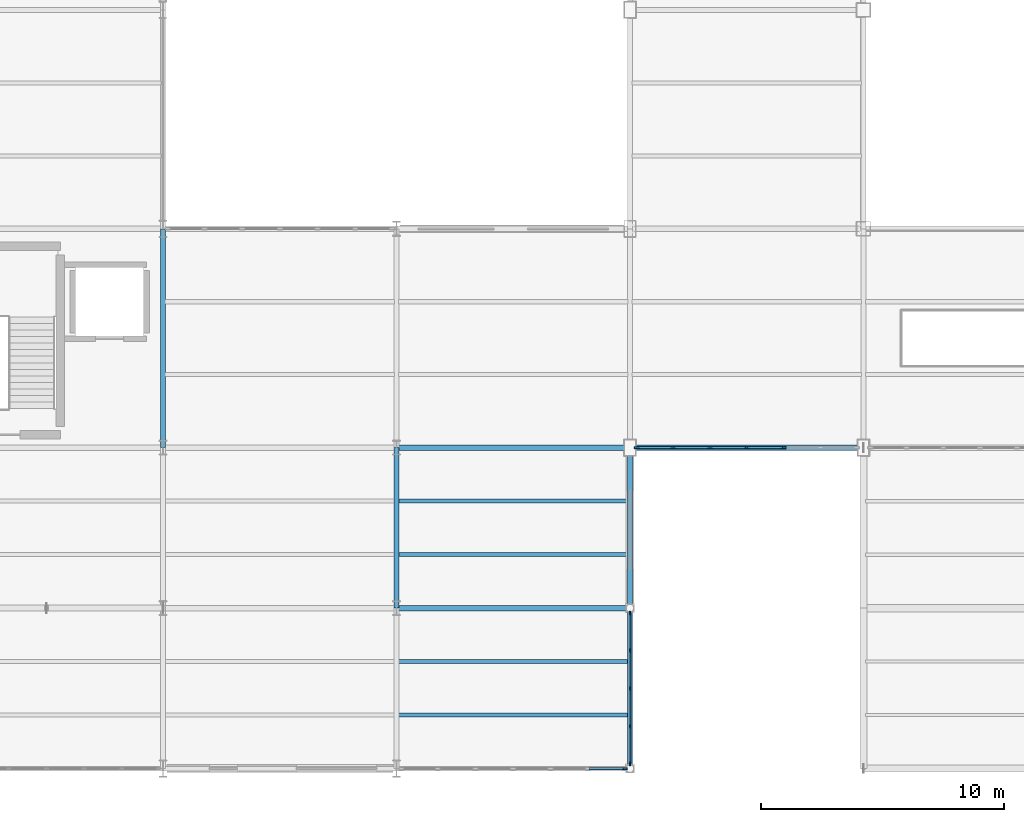
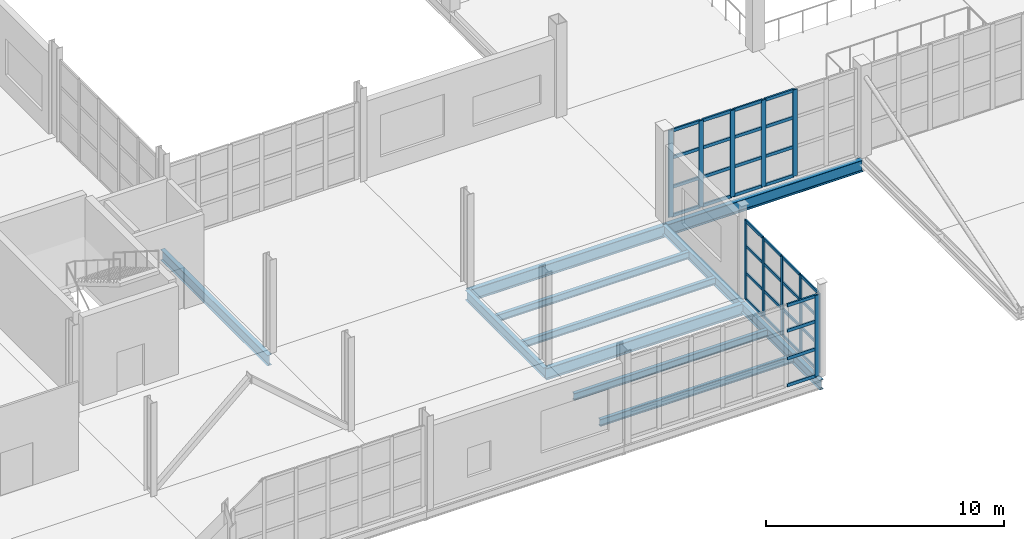
# One storey, part 19 of 120: 47 members, 11 beams, 3 elements without a shape of their own.
"""IFC4 building model written with IfcOpenShell, lengths in metres."""

import ifcopenshell
import ifcopenshell.guid

model = None  # the IFC model being written
_history = None  # IfcOwnerHistory: only IFC2X3 demands one
_inside = {}  # id of a spatial element -> (the spatial element, [elements in it])
_under = {}  # id of a project, library or spatial element -> (it, [spatial elements below it])
_declared = {}  # id of a project -> (the project, [libraries it declares])
_typed = {}  # id of a type object -> (the type object, [elements of that type])
_made_of = {}  # id of a material, layer set ... -> (it, [elements and type objects made of it])


def new_model(schema):
    """Start an empty IFC model of exactly this schema.

    Asked for "IFC4X3", IfcOpenShell would pick the latest addendum, in which some entities
    have other attributes; the version numbers below select the first issue.
    IFC2X3 requires an IfcOwnerHistory on every rooted entity: one is made here for all.
    """
    global model, _history
    if schema == "IFC4X3":
        model = ifcopenshell.file(schema_version=(4, 3, 0, 0))
    else:
        model = ifcopenshell.file(schema=schema)
    _inside.clear()
    _under.clear()
    _declared.clear()
    _typed.clear()
    _made_of.clear()
    _history = None
    if model.schema == "IFC2X3":
        org = make("IfcOrganization", Name="unknown")
        user = make(
            "IfcPersonAndOrganization",
            ThePerson=make("IfcPerson", FamilyName="unknown"),
            TheOrganization=org,
        )
        app = make(
            "IfcApplication",
            ApplicationDeveloper=org,
            Version="unknown",
            ApplicationFullName="unknown",
            ApplicationIdentifier="unknown",
        )
        _history = make(
            "IfcOwnerHistory",
            OwningUser=user,
            OwningApplication=app,
            ChangeAction="ADDED",
            CreationDate=0,
        )
    return model


def make(cls, **values):
    """One entity of the class cls with the attributes given. An attribute that is None is left unset."""
    return model.create_entity(
        cls, **{name: value for name, value in values.items() if value is not None}
    )


def rooted(cls, **values):
    """An entity with a GlobalId (a new one), such as an element, a storey or a relation."""
    return make(cls, GlobalId=ifcopenshell.guid.new(), OwnerHistory=_history, **values)


def si_unit(unit_type, name, prefix=None):
    """IfcSIUnit, for example si_unit("LENGTHUNIT", "METRE", prefix="MILLI")."""
    return make("IfcSIUnit", UnitType=unit_type, Prefix=prefix, Name=name)


def assignment(units):
    """IfcUnitAssignment: the units of a project."""
    return None if units is None else make("IfcUnitAssignment", Units=units)


def point(xyz):
    """IfcCartesianPoint."""
    return None if xyz is None else make("IfcCartesianPoint", Coordinates=xyz)


def direction(xyz):
    """IfcDirection."""
    return None if xyz is None else make("IfcDirection", DirectionRatios=xyz)


def frame(location, z_axis=None, x_axis=None):
    """IfcAxis2Placement3D, a coordinate frame: its origin and axes. An axis left out is left unset."""
    return make(
        "IfcAxis2Placement3D",
        Location=point(location),
        Axis=direction(z_axis),
        RefDirection=direction(x_axis),
    )


def frame_2d(location, x_axis=None):
    """IfcAxis2Placement2D, a coordinate frame in the plane: its origin and x axis."""
    return make(
        "IfcAxis2Placement2D", Location=point(location), RefDirection=direction(x_axis)
    )


def origin():
    """The frame at (0, 0, 0) with its axes left unset."""
    return frame((0.0, 0.0, 0.0))


def origin_2d():
    """The frame at (0, 0) in the plane with its x axis left unset."""
    return frame_2d((0.0, 0.0))


def place(relative_to, where):
    """IfcLocalPlacement: puts the frame where relative to a parent placement (None: the world)."""
    return make(
        "IfcLocalPlacement", PlacementRelTo=relative_to, RelativePlacement=where
    )


def context(
    kind, dimensions, precision=None, world=None, true_north=None, identifier=None
):
    """IfcGeometricRepresentationContext, for example the 3D "Model" context."""
    return make(
        "IfcGeometricRepresentationContext",
        ContextIdentifier=identifier,
        ContextType=kind,
        CoordinateSpaceDimension=dimensions,
        Precision=precision,
        WorldCoordinateSystem=world,
        TrueNorth=true_north,
    )


def subcontext(parent, identifier, kind, view, scale=None):
    """IfcGeometricRepresentationSubContext, for example "Body" below "Model"."""
    return make(
        "IfcGeometricRepresentationSubContext",
        ContextIdentifier=identifier,
        ContextType=kind,
        ParentContext=parent,
        TargetScale=scale,
        TargetView=view,
    )


def project(units=None, contexts=None):
    """IfcProject with its units and contexts."""
    return rooted(
        "IfcProject",
        Name="project",
        RepresentationContexts=contexts,
        UnitsInContext=assignment(units),
    )


def spatial(cls, under=None, at=None, **own):
    """A site, building, storey or space (cls), placed at a placement, below another one or the project."""
    s = rooted(cls, ObjectPlacement=at, **own)
    if under is not None:
        _under.setdefault(under.id(), (under, []))[1].append(s)
    return s


def profile(cls, at=None, kind="AREA", **sizes):
    """A parametric profile (cls). Its sizes go by their IFC names, for example OverallWidth=200.0."""
    return make(cls, ProfileType=kind, Position=at, **sizes)


def rectangle(**sizes):
    """IfcRectangleProfileDef."""
    return profile("IfcRectangleProfileDef", **sizes)


def i_section(**sizes):
    """IfcIShapeProfileDef."""
    return profile("IfcIShapeProfileDef", **sizes)


def extrude(swept, where, along, depth):
    """IfcExtrudedAreaSolid: the profile swept, set in the frame where, extruded along a direction by depth."""
    return make(
        "IfcExtrudedAreaSolid",
        SweptArea=swept,
        Position=where,
        ExtrudedDirection=direction(along),
        Depth=depth,
    )


def shape(context_of_items, identifier, shape_type, items):
    """IfcShapeRepresentation: the items that make up one representation, for example the "Body"."""
    return make(
        "IfcShapeRepresentation",
        ContextOfItems=context_of_items,
        RepresentationIdentifier=identifier,
        RepresentationType=shape_type,
        Items=items,
    )


def material(Name=None, Category=None):
    """IfcMaterial."""
    return make("IfcMaterial", Name=Name, Category=Category)


def layer(
    of_material, thickness, ventilated=None, Name=None, Category=None, Priority=None
):
    """IfcMaterialLayer: one layer of a wall or slab, of a material (None: an air gap)."""
    return make(
        "IfcMaterialLayer",
        Material=of_material,
        LayerThickness=thickness,
        IsVentilated=ventilated,
        Name=Name,
        Category=Category,
        Priority=Priority,
    )


def layer_set(layers, Name=None):
    """IfcMaterialLayerSet."""
    return make("IfcMaterialLayerSet", MaterialLayers=layers, LayerSetName=Name)


def material_profile(
    of_material, cross_section, Name=None, Category=None, Priority=None
):
    """IfcMaterialProfile: a cross section and its material."""
    return make(
        "IfcMaterialProfile",
        Name=Name,
        Material=of_material,
        Profile=cross_section,
        Priority=Priority,
        Category=Category,
    )


def profile_set(profiles, Name=None, composite=None):
    """IfcMaterialProfileSet."""
    return make(
        "IfcMaterialProfileSet",
        Name=Name,
        MaterialProfiles=profiles,
        CompositeProfile=composite,
    )


def made_of(thing, what):
    """Note that an element or type object is made of a material, layer set ...; save() writes the relation."""
    if what is not None:
        _made_of.setdefault(what.id(), (what, []))[1].append(thing)
    return thing


def type_object(cls, material=None, **own):
    """A type object (cls), such as IfcWallType, which elements share."""
    return made_of(rooted(cls, **own), material)


def element(
    cls,
    number,
    at=None,
    inside=None,
    cuts=None,
    type_object=None,
    material=None,
    context=None,
    identifier="Body",
    shape_type=None,
    held_by="IfcProductDefinitionShape",
    body=None,
    shapes=None,
    **own,
):
    """One element of the class cls, such as IfcWall. Its Tag is "e" and its number.

    at: its placement. inside: the storey or other place that contains it. cuts: it is an
    opening in that element (IfcRelVoidsElement). A single representation is given by context,
    identifier, shape_type and body (its items); several are given by shapes. held_by: the class
    of the entity that holds the representations. save() writes the other relations.
    """
    e = rooted(cls, Tag="e%d" % number, ObjectPlacement=at, **own)
    if body is not None:
        shapes = [shape(context, identifier, shape_type, body)]
    if shapes is not None:
        e.Representation = make(held_by, Representations=shapes)
    if inside is not None:
        _inside.setdefault(inside.id(), (inside, []))[1].append(e)
    if cuts is not None:
        rooted(
            "IfcRelVoidsElement", RelatingBuildingElement=cuts, RelatedOpeningElement=e
        )
    if type_object is not None:
        _typed.setdefault(type_object.id(), (type_object, []))[1].append(e)
    return made_of(e, material)


def aggregate(whole, parts):
    """IfcRelAggregates: a whole, such as a stair, and the parts it consists of."""
    return rooted("IfcRelAggregates", RelatingObject=whole, RelatedObjects=parts)


def save(model, path):
    """Write the relations noted so far, then the file.

    IfcRelAggregates (storeys below a building ...), IfcRelContainedInSpatialStructure (elements
    in a storey), IfcRelDefinesByType, IfcRelAssociatesMaterial and IfcRelDeclares: one each for
    every whole, place, type object, material and project.
    """
    for whole, parts in _under.values():
        aggregate(whole, parts)
    for where, things in _inside.values():
        rooted(
            "IfcRelContainedInSpatialStructure",
            RelatedElements=things,
            RelatingStructure=where,
        )
    for kind, things in _typed.values():
        rooted("IfcRelDefinesByType", RelatedObjects=things, RelatingType=kind)
    for what, things in _made_of.values():
        rooted("IfcRelAssociatesMaterial", RelatedObjects=things, RelatingMaterial=what)
    for by, libraries in _declared.values():
        rooted("IfcRelDeclares", RelatingContext=by, RelatedDefinitions=libraries)
    model.write(path)


model = new_model("IFC4")

# Units and contexts
model_context = context("Model", 3, precision=1e-05, world=origin(), true_north=direction((0.0, 1.0)))
body_context = subcontext(model_context, "Body", "Model", "MODEL_VIEW")
ifc_project = project(units=[si_unit("LENGTHUNIT", "METRE"), si_unit("AREAUNIT", "SQUARE_METRE"), si_unit("VOLUMEUNIT", "CUBIC_METRE"), si_unit("PLANEANGLEUNIT", "RADIAN"), si_unit("MASSUNIT", "GRAM", prefix="KILO")], contexts=[model_context])

# Site, building, storey
site_placement = place(None, origin())
site = spatial("IfcSite", under=ifc_project, at=site_placement, CompositionType="ELEMENT")
building_placement = place(site_placement, origin())
building = spatial("IfcBuilding", under=site, at=building_placement, Name="Zarnetskaya Central Station", CompositionType="ELEMENT")
storey_placement = place(building_placement, frame((0.0, 0.0, 5.39990234375)))
storey = spatial("IfcBuildingStorey", under=building, at=storey_placement, Name="L01", CompositionType="ELEMENT", Elevation=5.39990234375)

# Beams
ifc_material_1 = material(Name="Steel S355", Category="steel")
ifc_material_profile_1 = material_profile(ifc_material_1, i_section(OverallWidth=0.169921875, OverallDepth=0.360107421875, WebThickness=0.008056640625, FlangeThickness=0.0126953125, FilletRadius=0.01806640625, at=origin_2d()), Name="IPE 360")
ifc_profile_set_1 = profile_set([ifc_material_profile_1], Name="Steel S355")
beam_type_1 = type_object("IfcBeamType", Name="BM-SEC-360", PredefinedType="BEAM", material=ifc_profile_set_1)
for number, where, z_axis, x_axis, name in (
    (1, (48.080078125, 2.199951171875, -0.4599609375), (1.0, 0.0, 0.0), (0.0, 1.0, 0.0), "Secondary floor beam SEC-L01-Z512-FG-12-1"),
    (2, (48.080078125, 4.39990234375, -0.4599609375), (1.0, 0.0, 0.0), (0.0, 1.0, 0.0), "Secondary floor beam SEC-L01-Z512-FG-12-2"),
    (3, (48.080078125, 8.800048828125, -0.4599609375), (1.0, 0.0, 0.0), (0.0, 1.0, 0.0), "Secondary floor beam SEC-L01-Z512-FG-23-1"),
    (4, (48.080078125, 11.0, -0.4599609375), (1.0, 0.0, 0.0), (0.0, 1.0, 0.0), "Secondary floor beam SEC-L01-Z512-FG-23-2"),
):
    element("IfcBeam", number, at=place(storey_placement, frame(where, z_axis=z_axis, x_axis=x_axis)), inside=storey, type_object=beam_type_1, Name=name, PredefinedType="BEAM", context=body_context, shape_type="SweptSolid", body=[
        extrude(i_section(OverallWidth=0.169921875, OverallDepth=0.360107421875, WebThickness=0.008056640625, FlangeThickness=0.0126953125, FilletRadius=0.01806640625, at=origin_2d()), origin(), (0.0, 0.0, 1.0), 9.43994140625),
    ])

# Curtain wall, members
ifc_material_2 = material(Name="Low-E insulated glass", Category="glass")
ifc_layer_1 = layer(ifc_material_2, 0.176025390625, Name="Low-E insulated glass", Category="glass")
ifc_layer_set_1 = layer_set([ifc_layer_1], Name="Low-E insulated glass")
curtain_wall_type_1 = type_object("IfcCurtainWallType", Name="CW-SYS-05", PredefinedType="USERDEFINED", material=ifc_layer_set_1)
curtain_wall_1_placement = place(storey_placement, origin())
curtain_wall_1 = element("IfcCurtainWall", 5, at=curtain_wall_1_placement, inside=storey, type_object=curtain_wall_type_1, Name="Curtain wall CW-L01-011", ObjectType="CURTAIN WALL", PredefinedType="USERDEFINED")
ifc_material_3 = material(Name="Anodised aluminium", Category="aluminium")
ifc_material_profile_2 = material_profile(ifc_material_3, rectangle(XDim=0.070068359375, YDim=0.179931640625, at=origin_2d()), Name="ALU MULL 70x180")
ifc_profile_set_2 = profile_set([ifc_material_profile_2], Name="Anodised aluminium")
member_type_1 = type_object("IfcMemberType", Name="CW-MULL-180", PredefinedType="MULLION", material=ifc_profile_set_2)
member_1_placement = place(storey_placement, frame((57.60009765625, 6.38720703125, 0.0), z_axis=(0.0, 0.0, 1.0), x_axis=(1.0, 0.0, 0.0)))
member_1 = element("IfcMember", 6, at=member_1_placement, type_object=member_type_1, Name="CW-14 mullion 1", PredefinedType="MULLION", context=body_context, shape_type="SweptSolid", body=[
    extrude(rectangle(XDim=0.070068359375, YDim=0.179931640625, at=origin_2d()), origin(), (0.0, 0.0, 1.0), 4.080078125),
])
member_2_placement = place(storey_placement, frame((57.60009765625, 4.861083984375, 0.0), z_axis=(0.0, 0.0, 1.0), x_axis=(1.0, 0.0, 0.0)))
member_2 = element("IfcMember", 7, at=member_2_placement, type_object=member_type_1, Name="CW-14 mullion 2", PredefinedType="MULLION", context=body_context, shape_type="SweptSolid", body=[
    extrude(rectangle(XDim=0.070068359375, YDim=0.179931640625, at=origin_2d()), origin(), (0.0, 0.0, 1.0), 4.080078125),
])
member_3_placement = place(storey_placement, frame((57.60009765625, 3.300048828125, 0.0), z_axis=(0.0, 0.0, 1.0), x_axis=(1.0, 0.0, 0.0)))
member_3 = element("IfcMember", 8, at=member_3_placement, type_object=member_type_1, Name="CW-14 mullion 3", PredefinedType="MULLION", context=body_context, shape_type="SweptSolid", body=[
    extrude(rectangle(XDim=0.070068359375, YDim=0.179931640625, at=origin_2d()), origin(), (0.0, 0.0, 1.0), 4.080078125),
])
member_4_placement = place(storey_placement, frame((57.60009765625, 1.739013671875, 0.0), z_axis=(0.0, 0.0, 1.0), x_axis=(1.0, 0.0, 0.0)))
member_4 = element("IfcMember", 9, at=member_4_placement, type_object=member_type_1, Name="CW-14 mullion 4", PredefinedType="MULLION", context=body_context, shape_type="SweptSolid", body=[
    extrude(rectangle(XDim=0.070068359375, YDim=0.179931640625, at=origin_2d()), origin(), (0.0, 0.0, 1.0), 4.080078125),
])
member_5_placement = place(storey_placement, frame((57.60009765625, 0.212890625, 0.0), z_axis=(0.0, 0.0, 1.0), x_axis=(1.0, 0.0, 0.0)))
member_5 = element("IfcMember", 10, at=member_5_placement, type_object=member_type_1, Name="CW-14 mullion 5", PredefinedType="MULLION", context=body_context, shape_type="SweptSolid", body=[
    extrude(rectangle(XDim=0.070068359375, YDim=0.179931640625, at=origin_2d()), origin(), (0.0, 0.0, 1.0), 4.080078125),
])

# Curtain wall, member
ifc_layer_2 = layer(ifc_material_2, 0.16796875, Name="Low-E insulated glass", Category="glass")
ifc_layer_set_2 = layer_set([ifc_layer_2], Name="Low-E insulated glass")
curtain_wall_type_2 = type_object("IfcCurtainWallType", Name="CW-SYS-03", PredefinedType="USERDEFINED", material=ifc_layer_set_2)
curtain_wall_2_placement = place(storey_placement, origin())
curtain_wall_2 = element("IfcCurtainWall", 11, at=curtain_wall_2_placement, inside=storey, type_object=curtain_wall_type_2, Name="Curtain wall CW-L01-012", ObjectType="CURTAIN WALL", PredefinedType="USERDEFINED")
ifc_material_profile_3 = material_profile(ifc_material_3, rectangle(XDim=0.080078125, YDim=0.219970703125, at=origin_2d()), Name="ALU MULL 80x220")
ifc_profile_set_3 = profile_set([ifc_material_profile_3], Name="Anodised aluminium")
member_type_2 = type_object("IfcMemberType", Name="CW-MULL-220", PredefinedType="MULLION", material=ifc_profile_set_3)
member_6_placement = place(storey_placement, frame((57.382080078125, 0.0, 0.0), z_axis=(0.0, 0.0, 1.0), x_axis=(0.0, -1.0, 0.0)))
member_6 = element("IfcMember", 12, at=member_6_placement, type_object=member_type_2, Name="CW-12 mullion 1", PredefinedType="MULLION", context=body_context, shape_type="SweptSolid", body=[
    extrude(rectangle(XDim=0.080078125, YDim=0.219970703125, at=origin_2d()), origin(), (0.0, 0.0, 1.0), 4.18017578125),
])

# Curtain wall, members
ifc_layer_3 = layer(ifc_material_2, 0.16796875, Name="Low-E insulated glass", Category="glass")
ifc_layer_set_3 = layer_set([ifc_layer_3], Name="Low-E insulated glass")
curtain_wall_type_3 = type_object("IfcCurtainWallType", Name="CW-SYS-08", PredefinedType="USERDEFINED", material=ifc_layer_set_3)
curtain_wall_3_placement = place(storey_placement, origin())
curtain_wall_3 = element("IfcCurtainWall", 13, at=curtain_wall_3_placement, inside=storey, type_object=curtain_wall_type_3, Name="Curtain wall CW-L01-074", ObjectType="CURTAIN WALL", PredefinedType="USERDEFINED")
member_7_placement = place(storey_placement, frame((63.916748046875, 13.199951171875, 0.0), z_axis=(0.0, 0.0, 1.0), x_axis=(0.0, -1.0, 0.0)))
member_7 = element("IfcMember", 14, at=member_7_placement, type_object=member_type_2, Name="CW-16 mullion 3", PredefinedType="MULLION", context=body_context, shape_type="SweptSolid", body=[
    extrude(rectangle(XDim=0.080078125, YDim=0.219970703125, at=origin_2d()), origin(), (0.0, 0.0, 1.0), 4.4501953125),
])
member_8_placement = place(storey_placement, frame((62.39990234375, 13.199951171875, 0.0), z_axis=(0.0, 0.0, 1.0), x_axis=(0.0, -1.0, 0.0)))
member_8 = element("IfcMember", 15, at=member_8_placement, type_object=member_type_2, Name="CW-16 mullion 4", PredefinedType="MULLION", context=body_context, shape_type="SweptSolid", body=[
    extrude(rectangle(XDim=0.080078125, YDim=0.219970703125, at=origin_2d()), origin(), (0.0, 0.0, 1.0), 4.4501953125),
])
member_9_placement = place(storey_placement, frame((60.88330078125, 13.199951171875, 0.0), z_axis=(0.0, 0.0, 1.0), x_axis=(0.0, -1.0, 0.0)))
member_9 = element("IfcMember", 16, at=member_9_placement, type_object=member_type_2, Name="CW-16 mullion 5", PredefinedType="MULLION", context=body_context, shape_type="SweptSolid", body=[
    extrude(rectangle(XDim=0.080078125, YDim=0.219970703125, at=origin_2d()), origin(), (0.0, 0.0, 1.0), 4.4501953125),
])
member_10_placement = place(storey_placement, frame((59.36669921875, 13.199951171875, 0.0), z_axis=(0.0, 0.0, 1.0), x_axis=(0.0, -1.0, 0.0)))
member_10 = element("IfcMember", 17, at=member_10_placement, type_object=member_type_2, Name="CW-16 mullion 6", PredefinedType="MULLION", context=body_context, shape_type="SweptSolid", body=[
    extrude(rectangle(XDim=0.080078125, YDim=0.219970703125, at=origin_2d()), origin(), (0.0, 0.0, 1.0), 4.4501953125),
])
member_11_placement = place(storey_placement, frame((57.889892578125, 13.199951171875, 0.0), z_axis=(0.0, 0.0, 1.0), x_axis=(0.0, -1.0, 0.0)))
member_11 = element("IfcMember", 18, at=member_11_placement, type_object=member_type_2, Name="CW-16 mullion 7", PredefinedType="MULLION", context=body_context, shape_type="SweptSolid", body=[
    extrude(rectangle(XDim=0.080078125, YDim=0.219970703125, at=origin_2d()), origin(), (0.0, 0.0, 1.0), 4.4501953125),
])

# Member
ifc_material_profile_4 = material_profile(ifc_material_3, rectangle(XDim=0.070068359375, YDim=0.139892578125, at=origin_2d()), Name="ALU TRAN 70x140")
ifc_profile_set_4 = profile_set([ifc_material_profile_4], Name="Anodised aluminium")
member_type_3 = type_object("IfcMemberType", Name="CW-TRAN-140", PredefinedType="USERDEFINED", material=ifc_profile_set_4)
member_12_placement = place(storey_placement, frame((57.60009765625, 6.352294921875, 0.03515625), z_axis=(0.0, -1.0, 0.0), x_axis=(1.0, 0.0, 0.0)))
member_12 = element("IfcMember", 19, at=member_12_placement, type_object=member_type_3, Name="CW-14 transom 1.1", ObjectType="TRANSOM", PredefinedType="USERDEFINED", context=body_context, shape_type="SweptSolid", body=[
    extrude(rectangle(XDim=0.070068359375, YDim=0.139892578125, at=origin_2d()), origin(), (0.0, 0.0, 1.0), 1.456298828125),
])

member_13_placement = place(storey_placement, frame((57.60009765625, 6.352294921875, 1.38720703125), z_axis=(0.0, -1.0, 0.0), x_axis=(1.0, 0.0, 0.0)))
member_13 = element("IfcMember", 20, at=member_13_placement, type_object=member_type_3, Name="CW-14 transom 1.2", ObjectType="TRANSOM", PredefinedType="USERDEFINED", context=body_context, shape_type="SweptSolid", body=[
    extrude(rectangle(XDim=0.070068359375, YDim=0.139892578125, at=origin_2d()), origin(), (0.0, 0.0, 1.0), 1.456298828125),
])

member_14_placement = place(storey_placement, frame((57.60009765625, 6.352294921875, 2.774169921875), z_axis=(0.0, -1.0, 0.0), x_axis=(1.0, 0.0, 0.0)))
member_14 = element("IfcMember", 21, at=member_14_placement, type_object=member_type_3, Name="CW-14 transom 1.3", ObjectType="TRANSOM", PredefinedType="USERDEFINED", context=body_context, shape_type="SweptSolid", body=[
    extrude(rectangle(XDim=0.070068359375, YDim=0.139892578125, at=origin_2d()), origin(), (0.0, 0.0, 1.0), 1.456298828125),
])

member_15_placement = place(storey_placement, frame((57.60009765625, 6.352294921875, 4.045166015625), z_axis=(0.0, -1.0, 0.0), x_axis=(1.0, 0.0, 0.0)))
member_15 = element("IfcMember", 22, at=member_15_placement, type_object=member_type_3, Name="CW-14 transom 1.4", ObjectType="TRANSOM", PredefinedType="USERDEFINED", context=body_context, shape_type="SweptSolid", body=[
    extrude(rectangle(XDim=0.070068359375, YDim=0.139892578125, at=origin_2d()), origin(), (0.0, 0.0, 1.0), 1.456298828125),
])

member_16_placement = place(storey_placement, frame((57.60009765625, 4.826171875, 0.03515625), z_axis=(0.0, -1.0, 0.0), x_axis=(1.0, 0.0, 0.0)))
member_16 = element("IfcMember", 23, at=member_16_placement, type_object=member_type_3, Name="CW-14 transom 2.1", ObjectType="TRANSOM", PredefinedType="USERDEFINED", context=body_context, shape_type="SweptSolid", body=[
    extrude(rectangle(XDim=0.070068359375, YDim=0.139892578125, at=origin_2d()), origin(), (0.0, 0.0, 1.0), 1.4912109375),
])

member_17_placement = place(storey_placement, frame((57.60009765625, 4.826171875, 1.38720703125), z_axis=(0.0, -1.0, 0.0), x_axis=(1.0, 0.0, 0.0)))
member_17 = element("IfcMember", 24, at=member_17_placement, type_object=member_type_3, Name="CW-14 transom 2.2", ObjectType="TRANSOM", PredefinedType="USERDEFINED", context=body_context, shape_type="SweptSolid", body=[
    extrude(rectangle(XDim=0.070068359375, YDim=0.139892578125, at=origin_2d()), origin(), (0.0, 0.0, 1.0), 1.4912109375),
])

member_18_placement = place(storey_placement, frame((57.60009765625, 4.826171875, 2.774169921875), z_axis=(0.0, -1.0, 0.0), x_axis=(1.0, 0.0, 0.0)))
member_18 = element("IfcMember", 25, at=member_18_placement, type_object=member_type_3, Name="CW-14 transom 2.3", ObjectType="TRANSOM", PredefinedType="USERDEFINED", context=body_context, shape_type="SweptSolid", body=[
    extrude(rectangle(XDim=0.070068359375, YDim=0.139892578125, at=origin_2d()), origin(), (0.0, 0.0, 1.0), 1.4912109375),
])

member_19_placement = place(storey_placement, frame((57.60009765625, 4.826171875, 4.045166015625), z_axis=(0.0, -1.0, 0.0), x_axis=(1.0, 0.0, 0.0)))
member_19 = element("IfcMember", 26, at=member_19_placement, type_object=member_type_3, Name="CW-14 transom 2.4", ObjectType="TRANSOM", PredefinedType="USERDEFINED", context=body_context, shape_type="SweptSolid", body=[
    extrude(rectangle(XDim=0.070068359375, YDim=0.139892578125, at=origin_2d()), origin(), (0.0, 0.0, 1.0), 1.4912109375),
])

member_20_placement = place(storey_placement, frame((57.60009765625, 3.264892578125, 0.03515625), z_axis=(0.0, -1.0, 0.0), x_axis=(1.0, 0.0, 0.0)))
member_20 = element("IfcMember", 27, at=member_20_placement, type_object=member_type_3, Name="CW-14 transom 3.1", ObjectType="TRANSOM", PredefinedType="USERDEFINED", context=body_context, shape_type="SweptSolid", body=[
    extrude(rectangle(XDim=0.070068359375, YDim=0.139892578125, at=origin_2d()), origin(), (0.0, 0.0, 1.0), 1.490966796875),
])

member_21_placement = place(storey_placement, frame((57.60009765625, 3.264892578125, 1.38720703125), z_axis=(0.0, -1.0, 0.0), x_axis=(1.0, 0.0, 0.0)))
member_21 = element("IfcMember", 28, at=member_21_placement, type_object=member_type_3, Name="CW-14 transom 3.2", ObjectType="TRANSOM", PredefinedType="USERDEFINED", context=body_context, shape_type="SweptSolid", body=[
    extrude(rectangle(XDim=0.070068359375, YDim=0.139892578125, at=origin_2d()), origin(), (0.0, 0.0, 1.0), 1.490966796875),
])

member_22_placement = place(storey_placement, frame((57.60009765625, 3.264892578125, 2.774169921875), z_axis=(0.0, -1.0, 0.0), x_axis=(1.0, 0.0, 0.0)))
member_22 = element("IfcMember", 29, at=member_22_placement, type_object=member_type_3, Name="CW-14 transom 3.3", ObjectType="TRANSOM", PredefinedType="USERDEFINED", context=body_context, shape_type="SweptSolid", body=[
    extrude(rectangle(XDim=0.070068359375, YDim=0.139892578125, at=origin_2d()), origin(), (0.0, 0.0, 1.0), 1.490966796875),
])

member_23_placement = place(storey_placement, frame((57.60009765625, 3.264892578125, 4.045166015625), z_axis=(0.0, -1.0, 0.0), x_axis=(1.0, 0.0, 0.0)))
member_23 = element("IfcMember", 30, at=member_23_placement, type_object=member_type_3, Name="CW-14 transom 3.4", ObjectType="TRANSOM", PredefinedType="USERDEFINED", context=body_context, shape_type="SweptSolid", body=[
    extrude(rectangle(XDim=0.070068359375, YDim=0.139892578125, at=origin_2d()), origin(), (0.0, 0.0, 1.0), 1.490966796875),
])

member_24_placement = place(storey_placement, frame((57.60009765625, 1.703857421875, 0.03515625), z_axis=(0.0, -1.0, 0.0), x_axis=(1.0, 0.0, 0.0)))
member_24 = element("IfcMember", 31, at=member_24_placement, type_object=member_type_3, Name="CW-14 transom 4.1", ObjectType="TRANSOM", PredefinedType="USERDEFINED", context=body_context, shape_type="SweptSolid", body=[
    extrude(rectangle(XDim=0.070068359375, YDim=0.139892578125, at=origin_2d()), origin(), (0.0, 0.0, 1.0), 1.4560546875),
])

member_25_placement = place(storey_placement, frame((57.60009765625, 1.703857421875, 1.38720703125), z_axis=(0.0, -1.0, 0.0), x_axis=(1.0, 0.0, 0.0)))
member_25 = element("IfcMember", 32, at=member_25_placement, type_object=member_type_3, Name="CW-14 transom 4.2", ObjectType="TRANSOM", PredefinedType="USERDEFINED", context=body_context, shape_type="SweptSolid", body=[
    extrude(rectangle(XDim=0.070068359375, YDim=0.139892578125, at=origin_2d()), origin(), (0.0, 0.0, 1.0), 1.4560546875),
])

member_26_placement = place(storey_placement, frame((57.60009765625, 1.703857421875, 2.774169921875), z_axis=(0.0, -1.0, 0.0), x_axis=(1.0, 0.0, 0.0)))
member_26 = element("IfcMember", 33, at=member_26_placement, type_object=member_type_3, Name="CW-14 transom 4.3", ObjectType="TRANSOM", PredefinedType="USERDEFINED", context=body_context, shape_type="SweptSolid", body=[
    extrude(rectangle(XDim=0.070068359375, YDim=0.139892578125, at=origin_2d()), origin(), (0.0, 0.0, 1.0), 1.4560546875),
])

member_27_placement = place(storey_placement, frame((57.60009765625, 1.703857421875, 4.045166015625), z_axis=(0.0, -1.0, 0.0), x_axis=(1.0, 0.0, 0.0)))
member_27 = element("IfcMember", 34, at=member_27_placement, type_object=member_type_3, Name="CW-14 transom 4.4", ObjectType="TRANSOM", PredefinedType="USERDEFINED", context=body_context, shape_type="SweptSolid", body=[
    extrude(rectangle(XDim=0.070068359375, YDim=0.139892578125, at=origin_2d()), origin(), (0.0, 0.0, 1.0), 1.4560546875),
])

aggregate(curtain_wall_1, [member_1, member_2, member_3, member_4, member_5, member_12, member_13, member_14, member_15, member_16, member_17, member_18, member_19, member_20, member_21, member_22, member_23, member_24, member_25, member_26, member_27])

ifc_material_profile_5 = material_profile(ifc_material_3, rectangle(XDim=0.080078125, YDim=0.159912109375, at=origin_2d()), Name="ALU TRAN 80x160")
ifc_profile_set_5 = profile_set([ifc_material_profile_5], Name="Anodised aluminium")
member_type_4 = type_object("IfcMemberType", Name="CW-TRAN-160", PredefinedType="USERDEFINED", material=ifc_profile_set_5)
member_28_placement = place(storey_placement, frame((57.34228515625, 0.0, 0.0400390625), z_axis=(-1.0, 0.0, 0.0), x_axis=(0.0, -1.0, 0.0)))
member_28 = element("IfcMember", 35, at=member_28_placement, type_object=member_type_4, Name="CW-12 transom 1.1", ObjectType="TRANSOM", PredefinedType="USERDEFINED", context=body_context, shape_type="SweptSolid", body=[
    extrude(rectangle(XDim=0.080078125, YDim=0.159912109375, at=origin_2d()), origin(), (0.0, 0.0, 1.0), 1.425537109375),
])

member_29_placement = place(storey_placement, frame((57.34228515625, 0.0, 1.421142578125), z_axis=(-1.0, 0.0, 0.0), x_axis=(0.0, -1.0, 0.0)))
member_29 = element("IfcMember", 36, at=member_29_placement, type_object=member_type_4, Name="CW-12 transom 1.2", ObjectType="TRANSOM", PredefinedType="USERDEFINED", context=body_context, shape_type="SweptSolid", body=[
    extrude(rectangle(XDim=0.080078125, YDim=0.159912109375, at=origin_2d()), origin(), (0.0, 0.0, 1.0), 1.425537109375),
])

member_30_placement = place(storey_placement, frame((57.34228515625, 0.0, 2.842041015625), z_axis=(-1.0, 0.0, 0.0), x_axis=(0.0, -1.0, 0.0)))
member_30 = element("IfcMember", 37, at=member_30_placement, type_object=member_type_4, Name="CW-12 transom 1.3", ObjectType="TRANSOM", PredefinedType="USERDEFINED", context=body_context, shape_type="SweptSolid", body=[
    extrude(rectangle(XDim=0.080078125, YDim=0.159912109375, at=origin_2d()), origin(), (0.0, 0.0, 1.0), 1.425537109375),
])

member_31_placement = place(storey_placement, frame((57.34228515625, 0.0, 4.14013671875), z_axis=(-1.0, 0.0, 0.0), x_axis=(0.0, -1.0, 0.0)))
member_31 = element("IfcMember", 38, at=member_31_placement, type_object=member_type_4, Name="CW-12 transom 1.4", ObjectType="TRANSOM", PredefinedType="USERDEFINED", context=body_context, shape_type="SweptSolid", body=[
    extrude(rectangle(XDim=0.080078125, YDim=0.159912109375, at=origin_2d()), origin(), (0.0, 0.0, 1.0), 1.425537109375),
])

aggregate(curtain_wall_2, [member_6, member_28, member_29, member_30, member_31])

member_32_placement = place(storey_placement, frame((63.876708984375, 13.199951171875, 0.0400390625), z_axis=(-1.0, 0.0, 0.0), x_axis=(0.0, -1.0, 0.0)))
member_32 = element("IfcMember", 39, at=member_32_placement, type_object=member_type_4, Name="CW-16 transom 3.1", ObjectType="TRANSOM", PredefinedType="USERDEFINED", context=body_context, shape_type="SweptSolid", body=[
    extrude(rectangle(XDim=0.080078125, YDim=0.159912109375, at=origin_2d()), origin(), (0.0, 0.0, 1.0), 1.436767578125),
])

member_33_placement = place(storey_placement, frame((63.876708984375, 13.199951171875, 1.51318359375), z_axis=(-1.0, 0.0, 0.0), x_axis=(0.0, -1.0, 0.0)))
member_33 = element("IfcMember", 40, at=member_33_placement, type_object=member_type_4, Name="CW-16 transom 3.2", ObjectType="TRANSOM", PredefinedType="USERDEFINED", context=body_context, shape_type="SweptSolid", body=[
    extrude(rectangle(XDim=0.080078125, YDim=0.159912109375, at=origin_2d()), origin(), (0.0, 0.0, 1.0), 1.436767578125),
])

member_34_placement = place(storey_placement, frame((63.876708984375, 13.199951171875, 3.026123046875), z_axis=(-1.0, 0.0, 0.0), x_axis=(0.0, -1.0, 0.0)))
member_34 = element("IfcMember", 41, at=member_34_placement, type_object=member_type_4, Name="CW-16 transom 3.3", ObjectType="TRANSOM", PredefinedType="USERDEFINED", context=body_context, shape_type="SweptSolid", body=[
    extrude(rectangle(XDim=0.080078125, YDim=0.159912109375, at=origin_2d()), origin(), (0.0, 0.0, 1.0), 1.436767578125),
])

member_35_placement = place(storey_placement, frame((63.876708984375, 13.199951171875, 4.41015625), z_axis=(-1.0, 0.0, 0.0), x_axis=(0.0, -1.0, 0.0)))
member_35 = element("IfcMember", 42, at=member_35_placement, type_object=member_type_4, Name="CW-16 transom 3.4", ObjectType="TRANSOM", PredefinedType="USERDEFINED", context=body_context, shape_type="SweptSolid", body=[
    extrude(rectangle(XDim=0.080078125, YDim=0.159912109375, at=origin_2d()), origin(), (0.0, 0.0, 1.0), 1.436767578125),
])

member_36_placement = place(storey_placement, frame((62.360107421875, 13.199951171875, 0.0400390625), z_axis=(-1.0, 0.0, 0.0), x_axis=(0.0, -1.0, 0.0)))
member_36 = element("IfcMember", 43, at=member_36_placement, type_object=member_type_4, Name="CW-16 transom 4.1", ObjectType="TRANSOM", PredefinedType="USERDEFINED", context=body_context, shape_type="SweptSolid", body=[
    extrude(rectangle(XDim=0.080078125, YDim=0.159912109375, at=origin_2d()), origin(), (0.0, 0.0, 1.0), 1.436767578125),
])

member_37_placement = place(storey_placement, frame((62.360107421875, 13.199951171875, 1.51318359375), z_axis=(-1.0, 0.0, 0.0), x_axis=(0.0, -1.0, 0.0)))
member_37 = element("IfcMember", 44, at=member_37_placement, type_object=member_type_4, Name="CW-16 transom 4.2", ObjectType="TRANSOM", PredefinedType="USERDEFINED", context=body_context, shape_type="SweptSolid", body=[
    extrude(rectangle(XDim=0.080078125, YDim=0.159912109375, at=origin_2d()), origin(), (0.0, 0.0, 1.0), 1.436767578125),
])

member_38_placement = place(storey_placement, frame((62.360107421875, 13.199951171875, 3.026123046875), z_axis=(-1.0, 0.0, 0.0), x_axis=(0.0, -1.0, 0.0)))
member_38 = element("IfcMember", 45, at=member_38_placement, type_object=member_type_4, Name="CW-16 transom 4.3", ObjectType="TRANSOM", PredefinedType="USERDEFINED", context=body_context, shape_type="SweptSolid", body=[
    extrude(rectangle(XDim=0.080078125, YDim=0.159912109375, at=origin_2d()), origin(), (0.0, 0.0, 1.0), 1.436767578125),
])

member_39_placement = place(storey_placement, frame((62.360107421875, 13.199951171875, 4.41015625), z_axis=(-1.0, 0.0, 0.0), x_axis=(0.0, -1.0, 0.0)))
member_39 = element("IfcMember", 46, at=member_39_placement, type_object=member_type_4, Name="CW-16 transom 4.4", ObjectType="TRANSOM", PredefinedType="USERDEFINED", context=body_context, shape_type="SweptSolid", body=[
    extrude(rectangle(XDim=0.080078125, YDim=0.159912109375, at=origin_2d()), origin(), (0.0, 0.0, 1.0), 1.436767578125),
])

member_40_placement = place(storey_placement, frame((60.84326171875, 13.199951171875, 0.0400390625), z_axis=(-1.0, 0.0, 0.0), x_axis=(0.0, -1.0, 0.0)))
member_40 = element("IfcMember", 47, at=member_40_placement, type_object=member_type_4, Name="CW-16 transom 5.1", ObjectType="TRANSOM", PredefinedType="USERDEFINED", context=body_context, shape_type="SweptSolid", body=[
    extrude(rectangle(XDim=0.080078125, YDim=0.159912109375, at=origin_2d()), origin(), (0.0, 0.0, 1.0), 1.4365234375),
])

member_41_placement = place(storey_placement, frame((60.84326171875, 13.199951171875, 1.51318359375), z_axis=(-1.0, 0.0, 0.0), x_axis=(0.0, -1.0, 0.0)))
member_41 = element("IfcMember", 48, at=member_41_placement, type_object=member_type_4, Name="CW-16 transom 5.2", ObjectType="TRANSOM", PredefinedType="USERDEFINED", context=body_context, shape_type="SweptSolid", body=[
    extrude(rectangle(XDim=0.080078125, YDim=0.159912109375, at=origin_2d()), origin(), (0.0, 0.0, 1.0), 1.4365234375),
])

member_42_placement = place(storey_placement, frame((60.84326171875, 13.199951171875, 3.026123046875), z_axis=(-1.0, 0.0, 0.0), x_axis=(0.0, -1.0, 0.0)))
member_42 = element("IfcMember", 49, at=member_42_placement, type_object=member_type_4, Name="CW-16 transom 5.3", ObjectType="TRANSOM", PredefinedType="USERDEFINED", context=body_context, shape_type="SweptSolid", body=[
    extrude(rectangle(XDim=0.080078125, YDim=0.159912109375, at=origin_2d()), origin(), (0.0, 0.0, 1.0), 1.4365234375),
])

member_43_placement = place(storey_placement, frame((60.84326171875, 13.199951171875, 4.41015625), z_axis=(-1.0, 0.0, 0.0), x_axis=(0.0, -1.0, 0.0)))
member_43 = element("IfcMember", 50, at=member_43_placement, type_object=member_type_4, Name="CW-16 transom 5.4", ObjectType="TRANSOM", PredefinedType="USERDEFINED", context=body_context, shape_type="SweptSolid", body=[
    extrude(rectangle(XDim=0.080078125, YDim=0.159912109375, at=origin_2d()), origin(), (0.0, 0.0, 1.0), 1.4365234375),
])

member_44_placement = place(storey_placement, frame((59.32666015625, 13.199951171875, 0.0400390625), z_axis=(-1.0, 0.0, 0.0), x_axis=(0.0, -1.0, 0.0)))
member_44 = element("IfcMember", 51, at=member_44_placement, type_object=member_type_4, Name="CW-16 transom 6.1", ObjectType="TRANSOM", PredefinedType="USERDEFINED", context=body_context, shape_type="SweptSolid", body=[
    extrude(rectangle(XDim=0.080078125, YDim=0.159912109375, at=origin_2d()), origin(), (0.0, 0.0, 1.0), 1.396728515625),
])

member_45_placement = place(storey_placement, frame((59.32666015625, 13.199951171875, 1.51318359375), z_axis=(-1.0, 0.0, 0.0), x_axis=(0.0, -1.0, 0.0)))
member_45 = element("IfcMember", 52, at=member_45_placement, type_object=member_type_4, Name="CW-16 transom 6.2", ObjectType="TRANSOM", PredefinedType="USERDEFINED", context=body_context, shape_type="SweptSolid", body=[
    extrude(rectangle(XDim=0.080078125, YDim=0.159912109375, at=origin_2d()), origin(), (0.0, 0.0, 1.0), 1.396728515625),
])

member_46_placement = place(storey_placement, frame((59.32666015625, 13.199951171875, 3.026123046875), z_axis=(-1.0, 0.0, 0.0), x_axis=(0.0, -1.0, 0.0)))
member_46 = element("IfcMember", 53, at=member_46_placement, type_object=member_type_4, Name="CW-16 transom 6.3", ObjectType="TRANSOM", PredefinedType="USERDEFINED", context=body_context, shape_type="SweptSolid", body=[
    extrude(rectangle(XDim=0.080078125, YDim=0.159912109375, at=origin_2d()), origin(), (0.0, 0.0, 1.0), 1.396728515625),
])

member_47_placement = place(storey_placement, frame((59.32666015625, 13.199951171875, 4.41015625), z_axis=(-1.0, 0.0, 0.0), x_axis=(0.0, -1.0, 0.0)))
member_47 = element("IfcMember", 54, at=member_47_placement, type_object=member_type_4, Name="CW-16 transom 6.4", ObjectType="TRANSOM", PredefinedType="USERDEFINED", context=body_context, shape_type="SweptSolid", body=[
    extrude(rectangle(XDim=0.080078125, YDim=0.159912109375, at=origin_2d()), origin(), (0.0, 0.0, 1.0), 1.396728515625),
])

aggregate(curtain_wall_3, [member_7, member_8, member_9, member_10, member_11, member_32, member_33, member_34, member_35, member_36, member_37, member_38, member_39, member_40, member_41, member_42, member_43, member_44, member_45, member_46, member_47])

# Beams
ifc_material_profile_6 = material_profile(ifc_material_1, i_section(OverallWidth=0.199951171875, OverallDepth=0.5, WebThickness=0.01025390625, FlangeThickness=0.01611328125, FilletRadius=0.02099609375, at=origin_2d()), Name="IPE 500")
ifc_profile_set_6 = profile_set([ifc_material_profile_6], Name="Steel S355")
beam_type_2 = type_object("IfcBeamType", Name="GD-FLR-500", PredefinedType="USERDEFINED", material=ifc_profile_set_6)
beam_1_placement = place(storey_placement, frame((48.0, 6.60009765625, -0.52978515625), z_axis=(0.0, 1.0, 0.0), x_axis=(-1.0, 0.0, 0.0)))
element("IfcBeam", 55, at=beam_1_placement, inside=storey, type_object=beam_type_2, Name="Grid girder GY-L01-F-23", ObjectType="GIRDER", PredefinedType="USERDEFINED", context=body_context, shape_type="SweptSolid", body=[
    extrude(i_section(OverallWidth=0.199951171875, OverallDepth=0.5, WebThickness=0.01025390625, FlangeThickness=0.01611328125, FilletRadius=0.02099609375, at=origin_2d()), origin(), (0.0, 0.0, 1.0), 6.599853515625),
])
beam_2_placement = place(storey_placement, frame((57.60009765625, 0.0, -0.52978515625), z_axis=(0.0, 1.0, 0.0), x_axis=(-1.0, 0.0, 0.0)))
element("IfcBeam", 56, at=beam_2_placement, inside=storey, type_object=beam_type_2, Name="Grid girder GY-L01-G-12", ObjectType="GIRDER", PredefinedType="USERDEFINED", context=body_context, shape_type="SweptSolid", body=[
    extrude(i_section(OverallWidth=0.199951171875, OverallDepth=0.5, WebThickness=0.01025390625, FlangeThickness=0.01611328125, FilletRadius=0.02099609375, at=origin_2d()), origin(), (0.0, 0.0, 1.0), 6.60009765625),
])
beam_3_placement = place(storey_placement, frame((57.60009765625, 6.60009765625, -0.52978515625), z_axis=(0.0, 1.0, 0.0), x_axis=(-1.0, 0.0, 0.0)))
element("IfcBeam", 57, at=beam_3_placement, inside=storey, type_object=beam_type_2, Name="Grid girder GY-L01-G-23", ObjectType="GIRDER", PredefinedType="USERDEFINED", context=body_context, shape_type="SweptSolid", body=[
    extrude(i_section(OverallWidth=0.199951171875, OverallDepth=0.5, WebThickness=0.01025390625, FlangeThickness=0.01611328125, FilletRadius=0.02099609375, at=origin_2d()), origin(), (0.0, 0.0, 1.0), 6.599853515625),
])
ifc_material_profile_7 = material_profile(ifc_material_1, i_section(OverallWidth=0.2099609375, OverallDepth=0.550048828125, WebThickness=0.010986328125, FlangeThickness=0.01708984375, FilletRadius=0.02392578125, at=origin_2d()), Name="IPE 550")
ifc_profile_set_7 = profile_set([ifc_material_profile_7], Name="Steel S355")
beam_type_3 = type_object("IfcBeamType", Name="GD-FLR-550", PredefinedType="USERDEFINED", material=ifc_profile_set_7)
beam_4_placement = place(storey_placement, frame((38.39990234375, 13.199951171875, -0.554931640625), z_axis=(0.0, 1.0, 0.0), x_axis=(-1.0, 0.0, 0.0)))
element("IfcBeam", 58, at=beam_4_placement, inside=storey, type_object=beam_type_3, Name="Grid girder GY-L01-E-34", ObjectType="GIRDER", PredefinedType="USERDEFINED", context=body_context, shape_type="SweptSolid", body=[
    extrude(i_section(OverallWidth=0.2099609375, OverallDepth=0.550048828125, WebThickness=0.010986328125, FlangeThickness=0.01708984375, FilletRadius=0.02392578125, at=origin_2d()), origin(), (0.0, 0.0, 1.0), 9.0),
])
ifc_material_profile_8 = material_profile(ifc_material_1, i_section(OverallWidth=0.219970703125, OverallDepth=0.60009765625, WebThickness=0.011962890625, FlangeThickness=0.01904296875, FilletRadius=0.02392578125, at=origin_2d()), Name="IPE 600")
ifc_profile_set_8 = profile_set([ifc_material_profile_8], Name="Steel S355")
beam_type_4 = type_object("IfcBeamType", Name="GD-FLR-600", PredefinedType="USERDEFINED", material=ifc_profile_set_8)
for number, where, z_axis, x_axis, name in (
    (59, (48.0, 6.60009765625, -0.579833984375), (1.0, 0.0, 0.0), (0.0, 1.0, 0.0), "Grid girder GX-L01-2-FG"),
    (60, (48.0, 13.199951171875, -0.579833984375), (1.0, 0.0, 0.0), (0.0, 1.0, 0.0), "Grid girder GX-L01-3-FG"),
):
    element("IfcBeam", number, at=place(storey_placement, frame(where, z_axis=z_axis, x_axis=x_axis)), inside=storey, type_object=beam_type_4, Name=name, ObjectType="GIRDER", PredefinedType="USERDEFINED", context=body_context, shape_type="SweptSolid", body=[
        extrude(i_section(OverallWidth=0.219970703125, OverallDepth=0.60009765625, WebThickness=0.011962890625, FlangeThickness=0.01904296875, FilletRadius=0.02392578125, at=origin_2d()), origin(), (0.0, 0.0, 1.0), 9.60009765625),
    ])
beam_5_placement = place(storey_placement, frame((57.60009765625, 13.199951171875, -0.579833984375), z_axis=(1.0, 0.0, 0.0), x_axis=(0.0, 1.0, 0.0)))
element("IfcBeam", 61, at=beam_5_placement, inside=storey, type_object=beam_type_4, Name="Grid girder GX-L01-3-GH", ObjectType="GIRDER", PredefinedType="USERDEFINED", context=body_context, shape_type="SweptSolid", body=[
    extrude(i_section(OverallWidth=0.219970703125, OverallDepth=0.60009765625, WebThickness=0.011962890625, FlangeThickness=0.01904296875, FilletRadius=0.02392578125, at=origin_2d()), origin(), (0.0, 0.0, 1.0), 9.599853515625),
])

save(model, "model.ifc")
